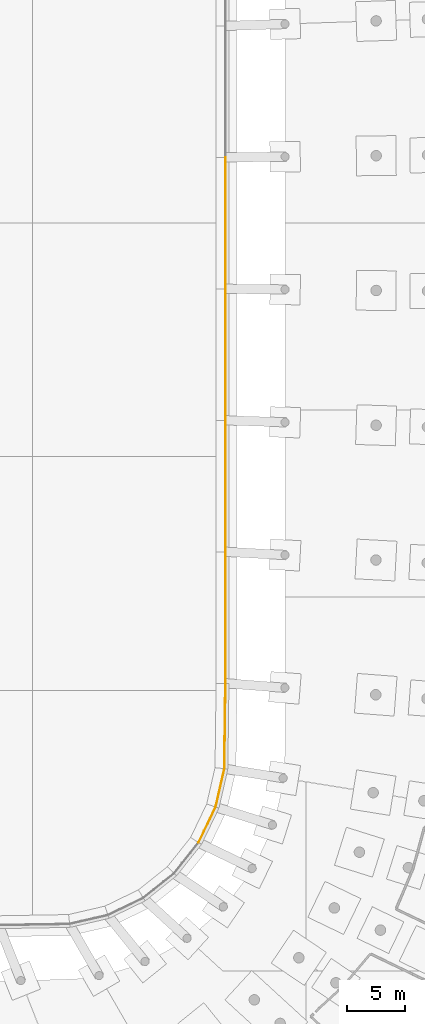
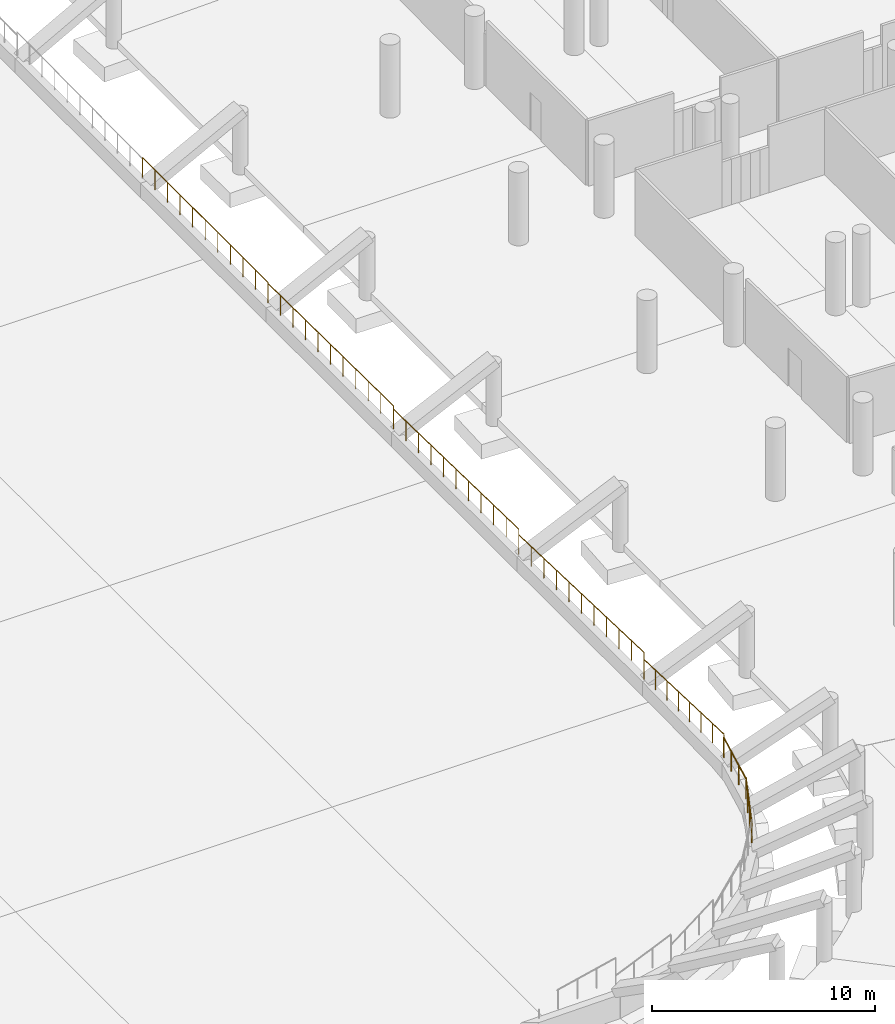
# One storey, part 124 of 142: 7 railings.
"""IFC4 building model written with IfcOpenShell, lengths in metres."""

from ifc_helpers import new_model, si_unit, direction, frame, origin, origin_2d, place, context, subcontext, project, spatial, circle, extrude, material, type_object, element, save


model = new_model("IFC4")

# Units and contexts
model_context = context("Model", 3, precision=1e-05, world=origin(), true_north=direction((0.0, 1.0)))
body_context = subcontext(model_context, "Body", "Model", "MODEL_VIEW")
ifc_project = project(units=[si_unit("LENGTHUNIT", "METRE"), si_unit("AREAUNIT", "SQUARE_METRE"), si_unit("VOLUMEUNIT", "CUBIC_METRE"), si_unit("PLANEANGLEUNIT", "RADIAN"), si_unit("MASSUNIT", "GRAM", prefix="KILO")], contexts=[model_context])

# Site, building, storey
site_placement = place(None, origin())
site = spatial("IfcSite", under=ifc_project, at=site_placement, CompositionType="ELEMENT")
building_placement = place(site_placement, origin())
building = spatial("IfcBuilding", under=site, at=building_placement, Name="Meseta Stadium", CompositionType="ELEMENT")
storey_placement = place(building_placement, frame((0.0, 0.0, -4.0)))
storey = spatial("IfcBuildingStorey", under=building, at=storey_placement, Name="B1", CompositionType="ELEMENT", Elevation=-4.0)

# Railings
ifc_material = material(Name="Steel S355", Category="steel")
railing_type = type_object("IfcRailingType", Name="Stand edge guard 1100", PredefinedType="GUARDRAIL", material=ifc_material)
railing_1_placement = place(storey_placement, frame((41.00439453125, -46.6953125, 1.246826171875)))
element("IfcRailing", 1, at=railing_1_placement, inside=storey, type_object=railing_type, Name="Stand lower tier front guard bay 01", PredefinedType="GUARDRAIL", context=body_context, shape_type="SweptSolid", body=[
    extrude(circle(Radius=0.02490234375, at=origin_2d()), frame((0.0, 0.0, 1.0751953125), z_axis=(0.01300108037, 0.99848297239, -0.053504446137), x_axis=(-0.999915239727, 0.013019729684, 0.0)), (0.0, 0.0, 1.0), 7.32373046875),
    extrude(circle(Radius=0.02001953125, at=origin_2d()), origin(), (0.0, 0.0, 1.0), 1.050048828125),
    extrude(circle(Radius=0.02001953125, at=origin_2d()), frame((0.013671875, 1.044677734375, -0.055908203125)), (0.0, 0.0, 1.0), 1.050048828125),
    extrude(circle(Radius=0.02001953125, at=origin_2d()), frame((0.027099609375, 2.08935546875, -0.112060546875)), (0.0, 0.0, 1.0), 1.050048828125),
    extrude(circle(Radius=0.02001953125, at=origin_2d()), frame((0.040771484375, 3.134033203125, -0.16796875)), (0.0, 0.0, 1.0), 1.050048828125),
    extrude(circle(Radius=0.02001953125, at=origin_2d()), frame((0.054443359375, 4.178466796875, -0.223876953125)), (0.0, 0.0, 1.0), 1.050048828125),
    extrude(circle(Radius=0.02001953125, at=origin_2d()), frame((0.068115234375, 5.22314453125, -0.27978515625)), (0.0, 0.0, 1.0), 1.050048828125),
    extrude(circle(Radius=0.02001953125, at=origin_2d()), frame((0.08154296875, 6.267822265625, -0.3359375)), (0.0, 0.0, 1.0), 1.050048828125),
    extrude(circle(Radius=0.02001953125, at=origin_2d()), frame((0.09521484375, 7.3125, -0.391845703125)), (0.0, 0.0, 1.0), 1.050048828125),
])
railing_2_placement = place(storey_placement, frame((41.099609375, -39.3828125, 1.2392578125)))
element("IfcRailing", 2, at=railing_2_placement, inside=storey, type_object=railing_type, Name="Stand lower tier front guard bay 02", PredefinedType="GUARDRAIL", context=body_context, shape_type="SweptSolid", body=[
    extrude(circle(Radius=0.02490234375, at=origin_2d()), frame((0.0, 0.0, 1.0751953125), z_axis=(2.1685018e-05, 0.999440783537, -0.033438297386), x_axis=(-0.999999999765, 2.1697151e-05, 0.0)), (0.0, 0.0, 1.0), 11.258544921875),
    extrude(circle(Radius=0.02001953125, at=origin_2d()), origin(), (0.0, 0.0, 1.0), 1.050048828125),
    extrude(circle(Radius=0.02001953125, at=origin_2d()), frame((0.0, 1.125244140625, -0.03759765625)), (0.0, 0.0, 1.0), 1.050048828125),
    extrude(circle(Radius=0.02001953125, at=origin_2d()), frame((0.0, 2.25048828125, -0.0751953125)), (0.0, 0.0, 1.0), 1.050048828125),
    extrude(circle(Radius=0.02001953125, at=origin_2d()), frame((0.0, 3.375732421875, -0.113037109375)), (0.0, 0.0, 1.0), 1.050048828125),
    extrude(circle(Radius=0.02001953125, at=origin_2d()), frame((0.0, 4.5009765625, -0.150634765625)), (0.0, 0.0, 1.0), 1.050048828125),
    extrude(circle(Radius=0.02001953125, at=origin_2d()), frame((0.0, 5.6259765625, -0.188232421875)), (0.0, 0.0, 1.0), 1.050048828125),
    extrude(circle(Radius=0.02001953125, at=origin_2d()), frame((0.000244140625, 6.751220703125, -0.225830078125)), (0.0, 0.0, 1.0), 1.050048828125),
    extrude(circle(Radius=0.02001953125, at=origin_2d()), frame((0.000244140625, 7.87646484375, -0.263427734375)), (0.0, 0.0, 1.0), 1.050048828125),
    extrude(circle(Radius=0.02001953125, at=origin_2d()), frame((0.000244140625, 9.001708984375, -0.30126953125)), (0.0, 0.0, 1.0), 1.050048828125),
    extrude(circle(Radius=0.02001953125, at=origin_2d()), frame((0.000244140625, 10.126953125, -0.3388671875)), (0.0, 0.0, 1.0), 1.050048828125),
    extrude(circle(Radius=0.02001953125, at=origin_2d()), frame((0.000244140625, 11.252197265625, -0.37646484375)), (0.0, 0.0, 1.0), 1.050048828125),
])
railing_3_placement = place(storey_placement, frame((41.099853515625, -28.130615234375, 1.1767578125)))
element("IfcRailing", 3, at=railing_3_placement, inside=storey, type_object=railing_type, Name="Stand lower tier front guard bay 03", PredefinedType="GUARDRAIL", context=body_context, shape_type="SweptSolid", body=[
    extrude(circle(Radius=0.02490234375, at=origin_2d()), frame((0.0, 0.0, 1.0751953125), z_axis=(0.0, 0.999750375479, -0.022342487074), x_axis=(-1.0, 0.0, 0.0)), (0.0, 0.0, 1.0), 11.255126953125),
    extrude(circle(Radius=0.02001953125, at=origin_2d()), origin(), (0.0, 0.0, 1.0), 1.050048828125),
    extrude(circle(Radius=0.02001953125, at=origin_2d()), frame((0.0, 1.125244140625, -0.025146484375)), (0.0, 0.0, 1.0), 1.050048828125),
    extrude(circle(Radius=0.02001953125, at=origin_2d()), frame((0.0, 2.25048828125, -0.05029296875)), (0.0, 0.0, 1.0), 1.050048828125),
    extrude(circle(Radius=0.02001953125, at=origin_2d()), frame((0.0, 3.375732421875, -0.075439453125)), (0.0, 0.0, 1.0), 1.050048828125),
    extrude(circle(Radius=0.02001953125, at=origin_2d()), frame((0.0, 4.5009765625, -0.1005859375)), (0.0, 0.0, 1.0), 1.050048828125),
    extrude(circle(Radius=0.02001953125, at=origin_2d()), frame((0.0, 5.6259765625, -0.125732421875)), (0.0, 0.0, 1.0), 1.050048828125),
    extrude(circle(Radius=0.02001953125, at=origin_2d()), frame((0.0, 6.751220703125, -0.15087890625)), (0.0, 0.0, 1.0), 1.050048828125),
    extrude(circle(Radius=0.02001953125, at=origin_2d()), frame((0.0, 7.87646484375, -0.176025390625)), (0.0, 0.0, 1.0), 1.050048828125),
    extrude(circle(Radius=0.02001953125, at=origin_2d()), frame((0.0, 9.001708984375, -0.201171875)), (0.0, 0.0, 1.0), 1.050048828125),
    extrude(circle(Radius=0.02001953125, at=origin_2d()), frame((0.0, 10.126953125, -0.226318359375)), (0.0, 0.0, 1.0), 1.050048828125),
    extrude(circle(Radius=0.02001953125, at=origin_2d()), frame((0.0, 11.252197265625, -0.25146484375)), (0.0, 0.0, 1.0), 1.050048828125),
])
railing_4_placement = place(storey_placement, frame((41.099853515625, -16.87841796875, 1.114013671875)))
element("IfcRailing", 4, at=railing_4_placement, inside=storey, type_object=railing_type, Name="Stand lower tier front guard bay 04", PredefinedType="GUARDRAIL", context=body_context, shape_type="SweptSolid", body=[
    extrude(circle(Radius=0.02490234375, at=origin_2d()), frame((0.0, 0.0, 1.0751953125), z_axis=(2.1695791e-05, 0.999937333471, -0.011195028403), x_axis=(-0.999999999765, 2.1697151e-05, 0.0)), (0.0, 0.0, 1.0), 11.2529296875),
    extrude(circle(Radius=0.02001953125, at=origin_2d()), origin(), (0.0, 0.0, 1.0), 1.050048828125),
    extrude(circle(Radius=0.02001953125, at=origin_2d()), frame((0.0, 1.125244140625, -0.0126953125)), (0.0, 0.0, 1.0), 1.050048828125),
    extrude(circle(Radius=0.02001953125, at=origin_2d()), frame((0.0, 2.25048828125, -0.025146484375)), (0.0, 0.0, 1.0), 1.050048828125),
    extrude(circle(Radius=0.02001953125, at=origin_2d()), frame((0.0, 3.375732421875, -0.037841796875)), (0.0, 0.0, 1.0), 1.050048828125),
    extrude(circle(Radius=0.02001953125, at=origin_2d()), frame((0.0, 4.5009765625, -0.05029296875)), (0.0, 0.0, 1.0), 1.050048828125),
    extrude(circle(Radius=0.02001953125, at=origin_2d()), frame((0.0, 5.6259765625, -0.06298828125)), (0.0, 0.0, 1.0), 1.050048828125),
    extrude(circle(Radius=0.02001953125, at=origin_2d()), frame((0.000244140625, 6.751220703125, -0.07568359375)), (0.0, 0.0, 1.0), 1.050048828125),
    extrude(circle(Radius=0.02001953125, at=origin_2d()), frame((0.000244140625, 7.87646484375, -0.088134765625)), (0.0, 0.0, 1.0), 1.050048828125),
    extrude(circle(Radius=0.02001953125, at=origin_2d()), frame((0.000244140625, 9.001708984375, -0.100830078125)), (0.0, 0.0, 1.0), 1.050048828125),
    extrude(circle(Radius=0.02001953125, at=origin_2d()), frame((0.000244140625, 10.126953125, -0.11328125)), (0.0, 0.0, 1.0), 1.050048828125),
    extrude(circle(Radius=0.02001953125, at=origin_2d()), frame((0.000244140625, 11.252197265625, -0.1259765625)), (0.0, 0.0, 1.0), 1.050048828125),
])
railing_5_placement = place(storey_placement, frame((41.10009765625, -5.626220703125, 1.051025390625)))
element("IfcRailing", 5, at=railing_5_placement, inside=storey, type_object=railing_type, Name="Stand lower tier front guard bay 05", PredefinedType="GUARDRAIL", context=body_context, shape_type="SweptSolid", body=[
    extrude(circle(Radius=0.02490234375, at=origin_2d()), frame((0.0, 0.0, 1.0751953125), z_axis=(0.0, 1.0, 0.0), x_axis=(-1.0, 0.0, 0.0)), (0.0, 0.0, 1.0), 11.25244140625),
    extrude(circle(Radius=0.02001953125, at=origin_2d()), origin(), (0.0, 0.0, 1.0), 1.050048828125),
    extrude(circle(Radius=0.02001953125, at=origin_2d()), frame((0.0, 1.125244140625, 0.0)), (0.0, 0.0, 1.0), 1.050048828125),
    extrude(circle(Radius=0.02001953125, at=origin_2d()), frame((0.0, 2.25048828125, 0.0)), (0.0, 0.0, 1.0), 1.050048828125),
    extrude(circle(Radius=0.02001953125, at=origin_2d()), frame((0.0, 3.375732421875, 0.0)), (0.0, 0.0, 1.0), 1.050048828125),
    extrude(circle(Radius=0.02001953125, at=origin_2d()), frame((0.0, 4.5009765625, 0.0)), (0.0, 0.0, 1.0), 1.050048828125),
    extrude(circle(Radius=0.02001953125, at=origin_2d()), frame((0.0, 5.626220703125, 0.0)), (0.0, 0.0, 1.0), 1.050048828125),
    extrude(circle(Radius=0.02001953125, at=origin_2d()), frame((0.0, 6.75146484375, 0.0)), (0.0, 0.0, 1.0), 1.050048828125),
    extrude(circle(Radius=0.02001953125, at=origin_2d()), frame((0.0, 7.876708984375, 0.0)), (0.0, 0.0, 1.0), 1.050048828125),
    extrude(circle(Radius=0.02001953125, at=origin_2d()), frame((0.0, 9.001953125, 0.0)), (0.0, 0.0, 1.0), 1.050048828125),
    extrude(circle(Radius=0.02001953125, at=origin_2d()), frame((0.0, 10.127197265625, 0.0)), (0.0, 0.0, 1.0), 1.050048828125),
    extrude(circle(Radius=0.02001953125, at=origin_2d()), frame((0.0, 11.25244140625, 0.0)), (0.0, 0.0, 1.0), 1.050048828125),
])
railing_6_placement = place(storey_placement, frame((38.791015625, -53.023681640625, 0.98828125)))
element("IfcRailing", 6, at=railing_6_placement, inside=storey, type_object=railing_type, Name="Stand lower tier front guard bay 55", PredefinedType="GUARDRAIL", context=body_context, shape_type="SweptSolid", body=[
    extrude(circle(Radius=0.02490234375, at=origin_2d()), frame((0.0, 0.0, 1.0751953125), z_axis=(0.433314642165, 0.900478600393, 0.037104057992), x_axis=(-0.901099090594, 0.43361322504, 0.0)), (0.0, 0.0, 1.0), 3.37548828125),
    extrude(circle(Radius=0.02001953125, at=origin_2d()), origin(), (0.0, 0.0, 1.0), 1.050048828125),
    extrude(circle(Radius=0.02001953125, at=origin_2d()), frame((0.487548828125, 1.01318359375, 0.041748046875)), (0.0, 0.0, 1.0), 1.050048828125),
    extrude(circle(Radius=0.02001953125, at=origin_2d()), frame((0.97509765625, 2.0263671875, 0.08349609375)), (0.0, 0.0, 1.0), 1.050048828125),
    extrude(circle(Radius=0.02001953125, at=origin_2d()), frame((1.462646484375, 3.03955078125, 0.125244140625)), (0.0, 0.0, 1.0), 1.050048828125),
])
railing_7_placement = place(storey_placement, frame((40.253662109375, -49.984130859375, 1.05712890625)))
element("IfcRailing", 7, at=railing_7_placement, inside=storey, type_object=railing_type, Name="Stand lower tier front guard bay 56", PredefinedType="GUARDRAIL", context=body_context, shape_type="SweptSolid", body=[
    extrude(circle(Radius=0.02490234375, at=origin_2d()), frame((0.0, 0.0, 1.0751953125), z_axis=(0.222542206518, 0.974915793172, -0.003763315362), x_axis=(-0.974922696888, 0.222543782416, 0.0)), (0.0, 0.0, 1.0), 3.37353515625),
    extrude(circle(Radius=0.02001953125, at=origin_2d()), origin(), (0.0, 0.0, 1.0), 1.050048828125),
    extrude(circle(Radius=0.02001953125, at=origin_2d()), frame((0.250244140625, 1.09619140625, -0.004150390625)), (0.0, 0.0, 1.0), 1.050048828125),
    extrude(circle(Radius=0.02001953125, at=origin_2d()), frame((0.50048828125, 2.192626953125, -0.008544921875)), (0.0, 0.0, 1.0), 1.050048828125),
    extrude(circle(Radius=0.02001953125, at=origin_2d()), frame((0.750732421875, 3.288818359375, -0.0126953125)), (0.0, 0.0, 1.0), 1.050048828125),
])

save(model, "model.ifc")
